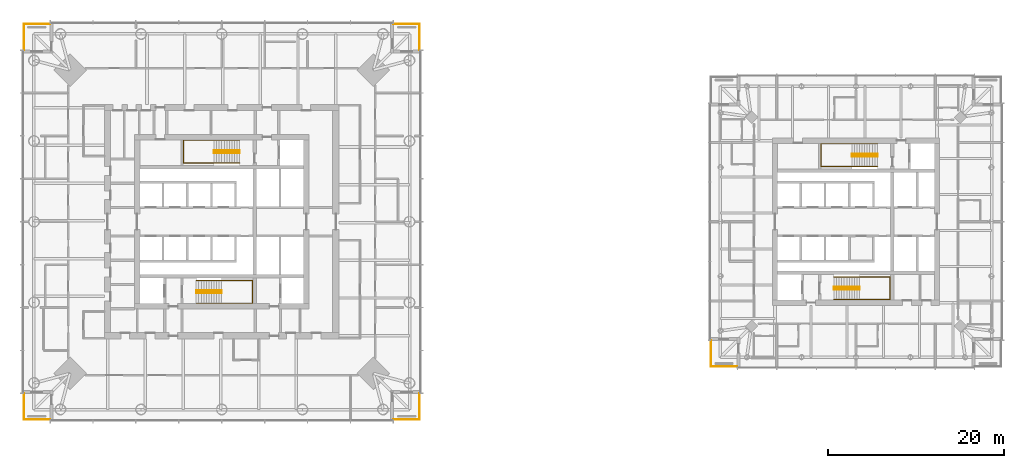
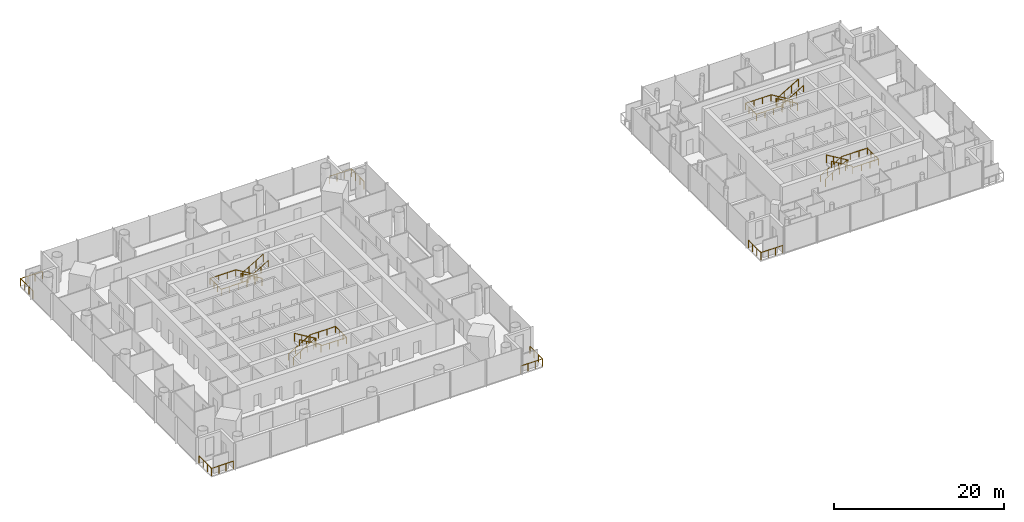
# One storey, part 17 of 18: 13 railings.
"""IFC4 building model written with IfcOpenShell, lengths in metres."""

from ifc_helpers import new_model, si_unit, direction, frame, origin, origin_2d, place, context, subcontext, project, spatial, circle, extrude, material, type_object, element, save


model = new_model("IFC4")

# Units and contexts
model_context = context("Model", 3, precision=1e-05, world=origin(), true_north=direction((0.0, 1.0)))
body_context = subcontext(model_context, "Body", "Model", "MODEL_VIEW")
ifc_project = project(units=[si_unit("LENGTHUNIT", "METRE"), si_unit("AREAUNIT", "SQUARE_METRE"), si_unit("VOLUMEUNIT", "CUBIC_METRE"), si_unit("PLANEANGLEUNIT", "RADIAN"), si_unit("MASSUNIT", "GRAM", prefix="KILO")], contexts=[model_context])

# Site, building, storey
site_placement = place(None, origin())
site = spatial("IfcSite", under=ifc_project, at=site_placement, CompositionType="ELEMENT")
building_placement = place(site_placement, origin())
building = spatial("IfcBuilding", under=site, at=building_placement, Name="Ostroluk Exchange", CompositionType="ELEMENT")
storey_placement = place(building_placement, frame((0.0, 0.0, 104.60009765625)))
storey = spatial("IfcBuildingStorey", under=building, at=storey_placement, Name="L26", CompositionType="ELEMENT", Elevation=104.60009765625)

# Railings
ifc_material_1 = material(Name="Stainless steel", Category="steel")
railing_type_1 = type_object("IfcRailingType", Name="Guard 1100 stainless steel", PredefinedType="GUARDRAIL", material=ifc_material_1)
railing_1_placement = place(storey_placement, frame((64.5, 23.550048828125, 0.0)))
element("IfcRailing", 1, at=railing_1_placement, inside=storey, type_object=railing_type_1, Name="Office tower SE balcony guard L26", PredefinedType="GUARDRAIL", context=body_context, shape_type="SweptSolid", body=[
    extrude(circle(Radius=0.02392578125, at=origin_2d()), frame((0.0, 0.0, 1.076171875), z_axis=(1.0, 0.0, 0.0), x_axis=(0.0, 1.0, 0.0)), (0.0, 0.0, 1.0), 2.949951171875),
    extrude(circle(Radius=0.02392578125, at=origin_2d()), frame((2.949951171875, 0.0, 1.076171875), z_axis=(0.0, 1.0, 0.0), x_axis=(-1.0, 0.0, 0.0)), (0.0, 0.0, 1.0), 2.949951171875),
    extrude(circle(Radius=0.02099609375, at=origin_2d()), origin(), (0.0, 0.0, 1.0), 1.052001953125),
    extrude(circle(Radius=0.02099609375, at=origin_2d()), frame((0.9833984375, 0.0, 0.0)), (0.0, 0.0, 1.0), 1.052001953125),
    extrude(circle(Radius=0.02099609375, at=origin_2d()), frame((1.966552734375, 0.0, 0.0)), (0.0, 0.0, 1.0), 1.052001953125),
    extrude(circle(Radius=0.02099609375, at=origin_2d()), frame((2.949951171875, 0.0, 0.0)), (0.0, 0.0, 1.0), 1.052001953125),
    extrude(circle(Radius=0.02099609375, at=origin_2d()), frame((2.949951171875, 0.9833984375, 0.0)), (0.0, 0.0, 1.0), 1.052001953125),
    extrude(circle(Radius=0.02099609375, at=origin_2d()), frame((2.949951171875, 1.966552734375, 0.0)), (0.0, 0.0, 1.0), 1.052001953125),
    extrude(circle(Radius=0.02099609375, at=origin_2d()), frame((2.949951171875, 2.949951171875, 0.0)), (0.0, 0.0, 1.0), 1.052001953125),
])
railing_2_placement = place(storey_placement, frame((64.5, 68.449951171875, 0.0)))
element("IfcRailing", 2, at=railing_2_placement, inside=storey, type_object=railing_type_1, Name="Office tower NE balcony guard L26", PredefinedType="GUARDRAIL", context=body_context, shape_type="SweptSolid", body=[
    extrude(circle(Radius=0.02392578125, at=origin_2d()), frame((0.0, 0.0, 1.076171875), z_axis=(1.0, 0.0, 0.0), x_axis=(0.0, 1.0, 0.0)), (0.0, 0.0, 1.0), 2.949951171875),
    extrude(circle(Radius=0.02392578125, at=origin_2d()), frame((2.949951171875, 0.0, 1.076171875), z_axis=(0.0, -1.0, 0.0), x_axis=(1.0, 0.0, 0.0)), (0.0, 0.0, 1.0), 2.949951171875),
    extrude(circle(Radius=0.02099609375, at=origin_2d()), origin(), (0.0, 0.0, 1.0), 1.052001953125),
    extrude(circle(Radius=0.02099609375, at=origin_2d()), frame((0.9833984375, 0.0, 0.0)), (0.0, 0.0, 1.0), 1.052001953125),
    extrude(circle(Radius=0.02099609375, at=origin_2d()), frame((1.966552734375, 0.0, 0.0)), (0.0, 0.0, 1.0), 1.052001953125),
    extrude(circle(Radius=0.02099609375, at=origin_2d()), frame((2.949951171875, 0.0, 0.0)), (0.0, 0.0, 1.0), 1.052001953125),
    extrude(circle(Radius=0.02099609375, at=origin_2d()), frame((2.949951171875, -0.9833984375, 0.0)), (0.0, 0.0, 1.0), 1.052001953125),
    extrude(circle(Radius=0.02099609375, at=origin_2d()), frame((2.949951171875, -1.966552734375, 0.0)), (0.0, 0.0, 1.0), 1.052001953125),
    extrude(circle(Radius=0.02099609375, at=origin_2d()), frame((2.949951171875, -2.949951171875, 0.0)), (0.0, 0.0, 1.0), 1.052001953125),
])
railing_3_placement = place(storey_placement, frame((25.5, 68.449951171875, 0.0)))
element("IfcRailing", 3, at=railing_3_placement, inside=storey, type_object=railing_type_1, Name="Office tower NW balcony guard L26", PredefinedType="GUARDRAIL", context=body_context, shape_type="SweptSolid", body=[
    extrude(circle(Radius=0.02392578125, at=origin_2d()), frame((0.0, 0.0, 1.076171875), z_axis=(-1.0, 0.0, 0.0), x_axis=(0.0, -1.0, 0.0)), (0.0, 0.0, 1.0), 2.949951171875),
    extrude(circle(Radius=0.02392578125, at=origin_2d()), frame((-2.949951171875, 0.0, 1.076171875), z_axis=(0.0, -1.0, 0.0), x_axis=(1.0, 0.0, 0.0)), (0.0, 0.0, 1.0), 2.949951171875),
    extrude(circle(Radius=0.02099609375, at=origin_2d()), origin(), (0.0, 0.0, 1.0), 1.052001953125),
    extrude(circle(Radius=0.02099609375, at=origin_2d()), frame((-0.9833984375, 0.0, 0.0)), (0.0, 0.0, 1.0), 1.052001953125),
    extrude(circle(Radius=0.02099609375, at=origin_2d()), frame((-1.966552734375, 0.0, 0.0)), (0.0, 0.0, 1.0), 1.052001953125),
    extrude(circle(Radius=0.02099609375, at=origin_2d()), frame((-2.949951171875, 0.0, 0.0)), (0.0, 0.0, 1.0), 1.052001953125),
    extrude(circle(Radius=0.02099609375, at=origin_2d()), frame((-2.949951171875, -0.9833984375, 0.0)), (0.0, 0.0, 1.0), 1.052001953125),
    extrude(circle(Radius=0.02099609375, at=origin_2d()), frame((-2.949951171875, -1.966552734375, 0.0)), (0.0, 0.0, 1.0), 1.052001953125),
    extrude(circle(Radius=0.02099609375, at=origin_2d()), frame((-2.949951171875, -2.949951171875, 0.0)), (0.0, 0.0, 1.0), 1.052001953125),
])
for number, where, name in (
    (4, (25.5, 23.550048828125, 0.0), "Office tower SW balcony guard L26"),
    (5, (103.5, 29.550048828125, 0.0), "Hotel tower SW balcony guard L26"),
):
    element("IfcRailing", number, at=place(storey_placement, frame(where)), inside=storey, type_object=railing_type_1, Name=name, PredefinedType="GUARDRAIL", context=body_context, shape_type="SweptSolid", body=[
        extrude(circle(Radius=0.02392578125, at=origin_2d()), frame((0.0, 0.0, 1.076171875), z_axis=(-1.0, 0.0, 0.0), x_axis=(0.0, -1.0, 0.0)), (0.0, 0.0, 1.0), 2.949951171875),
        extrude(circle(Radius=0.02392578125, at=origin_2d()), frame((-2.949951171875, 0.0, 1.076171875), z_axis=(0.0, 1.0, 0.0), x_axis=(-1.0, 0.0, 0.0)), (0.0, 0.0, 1.0), 2.949951171875),
        extrude(circle(Radius=0.02099609375, at=origin_2d()), origin(), (0.0, 0.0, 1.0), 1.052001953125),
        extrude(circle(Radius=0.02099609375, at=origin_2d()), frame((-0.9833984375, 0.0, 0.0)), (0.0, 0.0, 1.0), 1.052001953125),
        extrude(circle(Radius=0.02099609375, at=origin_2d()), frame((-1.966552734375, 0.0, 0.0)), (0.0, 0.0, 1.0), 1.052001953125),
        extrude(circle(Radius=0.02099609375, at=origin_2d()), frame((-2.949951171875, 0.0, 0.0)), (0.0, 0.0, 1.0), 1.052001953125),
        extrude(circle(Radius=0.02099609375, at=origin_2d()), frame((-2.949951171875, 0.9833984375, 0.0)), (0.0, 0.0, 1.0), 1.052001953125),
        extrude(circle(Radius=0.02099609375, at=origin_2d()), frame((-2.949951171875, 1.966552734375, 0.0)), (0.0, 0.0, 1.0), 1.052001953125),
        extrude(circle(Radius=0.02099609375, at=origin_2d()), frame((-2.949951171875, 2.949951171875, 0.0)), (0.0, 0.0, 1.0), 1.052001953125),
    ])
ifc_material_2 = material(Name="Steel S355", Category="steel")
railing_type_2 = type_object("IfcRailingType", Name="Stair guard 1100", PredefinedType="GUARDRAIL", material=ifc_material_2)
railing_4_placement = place(storey_placement, frame((42.10009765625, 38.179931640625, 0.172607421875)))
element("IfcRailing", 6, at=railing_4_placement, inside=storey, type_object=railing_type_2, Name="Stair T1-S1 guard L26", PredefinedType="GUARDRAIL", context=body_context, shape_type="SweptSolid", body=[
    extrude(circle(Radius=0.02392578125, at=origin_2d()), frame((0.0, 0.0, 1.076171875), z_axis=(0.859141464434, 0.0, 0.511738159696), x_axis=(0.0, 1.0, 0.0)), (0.0, 0.0, 1.0), 3.375244140625),
    extrude(circle(Radius=0.02392578125, at=origin_2d()), frame((2.89990234375, 0.0, 2.80322265625), z_axis=(0.0, -1.0, 0.0), x_axis=(1.0, 0.0, 0.0)), (0.0, 0.0, 1.0), 0.260009765625),
    extrude(circle(Radius=0.02392578125, at=origin_2d()), frame((2.89990234375, -0.260009765625, 2.80322265625), z_axis=(0.0, 0.0, 1.0), x_axis=(1.0, 0.0, 0.0)), (0.0, 0.0, 1.0), 0.172607421875),
    extrude(circle(Radius=0.02392578125, at=origin_2d()), frame((2.89990234375, -0.260009765625, 2.97607421875), z_axis=(-0.859141464434, 0.0, 0.511738159696), x_axis=(0.0, -1.0, 0.0)), (0.0, 0.0, 1.0), 3.375244140625),
    extrude(circle(Radius=0.02099609375, at=origin_2d()), origin(), (0.0, 0.0, 1.0), 1.052001953125),
    extrude(circle(Radius=0.02099609375, at=origin_2d()), frame((0.966552734375, 0.0, 0.57568359375)), (0.0, 0.0, 1.0), 1.052001953125),
    extrude(circle(Radius=0.02099609375, at=origin_2d()), frame((1.933349609375, 0.0, 1.151611328125)), (0.0, 0.0, 1.0), 1.052001953125),
    extrude(circle(Radius=0.02099609375, at=origin_2d()), frame((2.89990234375, 0.0, 1.727294921875)), (0.0, 0.0, 1.0), 1.052001953125),
    extrude(circle(Radius=0.02099609375, at=origin_2d()), frame((2.89990234375, -0.260009765625, 1.727294921875)), (0.0, 0.0, 1.0), 1.052001953125),
    extrude(circle(Radius=0.02099609375, at=origin_2d()), frame((2.89990234375, -0.260009765625, 1.89990234375)), (0.0, 0.0, 1.0), 1.052001953125),
    extrude(circle(Radius=0.02099609375, at=origin_2d()), frame((1.933349609375, -0.260009765625, 2.4755859375)), (0.0, 0.0, 1.0), 1.052001953125),
    extrude(circle(Radius=0.02099609375, at=origin_2d()), frame((0.966552734375, -0.260009765625, 3.051513671875)), (0.0, 0.0, 1.0), 1.052001953125),
    extrude(circle(Radius=0.02099609375, at=origin_2d()), frame((0.0, -0.260009765625, 3.627197265625)), (0.0, 0.0, 1.0), 1.052001953125),
])
railing_5_placement = place(storey_placement, frame((47.030029296875, 54.080078125, 0.172607421875)))
element("IfcRailing", 7, at=railing_5_placement, inside=storey, type_object=railing_type_2, Name="Stair T1-S2 guard L26", PredefinedType="GUARDRAIL", context=body_context, shape_type="SweptSolid", body=[
    extrude(circle(Radius=0.02392578125, at=origin_2d()), frame((0.0, 0.0, 1.076171875), z_axis=(-0.859160404282, 0.0, 0.51170636083), x_axis=(0.0, -1.0, 0.0)), (0.0, 0.0, 1.0), 3.37548828125),
    extrude(circle(Radius=0.02392578125, at=origin_2d()), frame((-2.900146484375, 0.0, 2.80322265625), z_axis=(0.0, -1.0, 0.0), x_axis=(1.0, 0.0, 0.0)), (0.0, 0.0, 1.0), 0.260009765625),
    extrude(circle(Radius=0.02392578125, at=origin_2d()), frame((-2.900146484375, -0.260009765625, 2.80322265625), z_axis=(0.0, 0.0, 1.0), x_axis=(1.0, 0.0, 0.0)), (0.0, 0.0, 1.0), 0.172607421875),
    extrude(circle(Radius=0.02392578125, at=origin_2d()), frame((-2.900146484375, -0.260009765625, 2.97607421875), z_axis=(0.859160404282, 0.0, 0.51170636083), x_axis=(0.0, 1.0, 0.0)), (0.0, 0.0, 1.0), 3.37548828125),
    extrude(circle(Radius=0.02099609375, at=origin_2d()), origin(), (0.0, 0.0, 1.0), 1.052001953125),
    extrude(circle(Radius=0.02099609375, at=origin_2d()), frame((-0.966796875, 0.0, 0.57568359375)), (0.0, 0.0, 1.0), 1.052001953125),
    extrude(circle(Radius=0.02099609375, at=origin_2d()), frame((-1.933349609375, 0.0, 1.151611328125)), (0.0, 0.0, 1.0), 1.052001953125),
    extrude(circle(Radius=0.02099609375, at=origin_2d()), frame((-2.900146484375, 0.0, 1.727294921875)), (0.0, 0.0, 1.0), 1.052001953125),
    extrude(circle(Radius=0.02099609375, at=origin_2d()), frame((-2.900146484375, -0.260009765625, 1.727294921875)), (0.0, 0.0, 1.0), 1.052001953125),
    extrude(circle(Radius=0.02099609375, at=origin_2d()), frame((-2.900146484375, -0.260009765625, 1.89990234375)), (0.0, 0.0, 1.0), 1.052001953125),
    extrude(circle(Radius=0.02099609375, at=origin_2d()), frame((-1.933349609375, -0.260009765625, 2.4755859375)), (0.0, 0.0, 1.0), 1.052001953125),
    extrude(circle(Radius=0.02099609375, at=origin_2d()), frame((-0.966796875, -0.260009765625, 3.051513671875)), (0.0, 0.0, 1.0), 1.052001953125),
    extrude(circle(Radius=0.02099609375, at=origin_2d()), frame((0.0, -0.260009765625, 3.627197265625)), (0.0, 0.0, 1.0), 1.052001953125),
])
railing_6_placement = place(storey_placement, frame((114.5, 38.580078125, 0.172607421875)))
element("IfcRailing", 8, at=railing_6_placement, inside=storey, type_object=railing_type_2, Name="Stair T2-S1 guard L26", PredefinedType="GUARDRAIL", context=body_context, shape_type="SweptSolid", body=[
    extrude(circle(Radius=0.02392578125, at=origin_2d()), frame((0.0, 0.0, 1.076171875), z_axis=(0.859141464434, 0.0, 0.511738159696), x_axis=(0.0, 1.0, 0.0)), (0.0, 0.0, 1.0), 3.375244140625),
    extrude(circle(Radius=0.02392578125, at=origin_2d()), frame((2.89990234375, 0.0, 2.80322265625), z_axis=(0.0, -1.0, 0.0), x_axis=(1.0, 0.0, 0.0)), (0.0, 0.0, 1.0), 0.260009765625),
    extrude(circle(Radius=0.02392578125, at=origin_2d()), frame((2.89990234375, -0.260009765625, 2.80322265625), z_axis=(0.0, 0.0, 1.0), x_axis=(1.0, 0.0, 0.0)), (0.0, 0.0, 1.0), 0.172607421875),
    extrude(circle(Radius=0.02392578125, at=origin_2d()), frame((2.89990234375, -0.260009765625, 2.97607421875), z_axis=(-0.859141464434, 0.0, 0.511738159696), x_axis=(0.0, -1.0, 0.0)), (0.0, 0.0, 1.0), 3.375244140625),
    extrude(circle(Radius=0.02099609375, at=origin_2d()), origin(), (0.0, 0.0, 1.0), 1.052001953125),
    extrude(circle(Radius=0.02099609375, at=origin_2d()), frame((0.966552734375, 0.0, 0.57568359375)), (0.0, 0.0, 1.0), 1.052001953125),
    extrude(circle(Radius=0.02099609375, at=origin_2d()), frame((1.933349609375, 0.0, 1.151611328125)), (0.0, 0.0, 1.0), 1.052001953125),
    extrude(circle(Radius=0.02099609375, at=origin_2d()), frame((2.89990234375, 0.0, 1.727294921875)), (0.0, 0.0, 1.0), 1.052001953125),
    extrude(circle(Radius=0.02099609375, at=origin_2d()), frame((2.89990234375, -0.260009765625, 1.727294921875)), (0.0, 0.0, 1.0), 1.052001953125),
    extrude(circle(Radius=0.02099609375, at=origin_2d()), frame((2.89990234375, -0.260009765625, 1.89990234375)), (0.0, 0.0, 1.0), 1.052001953125),
    extrude(circle(Radius=0.02099609375, at=origin_2d()), frame((1.933349609375, -0.260009765625, 2.4755859375)), (0.0, 0.0, 1.0), 1.052001953125),
    extrude(circle(Radius=0.02099609375, at=origin_2d()), frame((0.966552734375, -0.260009765625, 3.051513671875)), (0.0, 0.0, 1.0), 1.052001953125),
    extrude(circle(Radius=0.02099609375, at=origin_2d()), frame((0.0, -0.260009765625, 3.627197265625)), (0.0, 0.0, 1.0), 1.052001953125),
])
railing_7_placement = place(storey_placement, frame((119.429931640625, 53.679931640625, 0.172607421875)))
element("IfcRailing", 9, at=railing_7_placement, inside=storey, type_object=railing_type_2, Name="Stair T2-S2 guard L26", PredefinedType="GUARDRAIL", context=body_context, shape_type="SweptSolid", body=[
    extrude(circle(Radius=0.02392578125, at=origin_2d()), frame((0.0, 0.0, 1.076171875), z_axis=(-0.859141464434, 0.0, 0.511738159696), x_axis=(0.0, -1.0, 0.0)), (0.0, 0.0, 1.0), 3.375244140625),
    extrude(circle(Radius=0.02392578125, at=origin_2d()), frame((-2.89990234375, 0.0, 2.80322265625), z_axis=(0.0, -1.0, 0.0), x_axis=(1.0, 0.0, 0.0)), (0.0, 0.0, 1.0), 0.260009765625),
    extrude(circle(Radius=0.02392578125, at=origin_2d()), frame((-2.89990234375, -0.260009765625, 2.80322265625), z_axis=(0.0, 0.0, 1.0), x_axis=(1.0, 0.0, 0.0)), (0.0, 0.0, 1.0), 0.172607421875),
    extrude(circle(Radius=0.02392578125, at=origin_2d()), frame((-2.89990234375, -0.260009765625, 2.97607421875), z_axis=(0.859141464434, 0.0, 0.511738159696), x_axis=(0.0, 1.0, 0.0)), (0.0, 0.0, 1.0), 3.375244140625),
    extrude(circle(Radius=0.02099609375, at=origin_2d()), origin(), (0.0, 0.0, 1.0), 1.052001953125),
    extrude(circle(Radius=0.02099609375, at=origin_2d()), frame((-0.966552734375, 0.0, 0.57568359375)), (0.0, 0.0, 1.0), 1.052001953125),
    extrude(circle(Radius=0.02099609375, at=origin_2d()), frame((-1.933349609375, 0.0, 1.151611328125)), (0.0, 0.0, 1.0), 1.052001953125),
    extrude(circle(Radius=0.02099609375, at=origin_2d()), frame((-2.89990234375, 0.0, 1.727294921875)), (0.0, 0.0, 1.0), 1.052001953125),
    extrude(circle(Radius=0.02099609375, at=origin_2d()), frame((-2.89990234375, -0.260009765625, 1.727294921875)), (0.0, 0.0, 1.0), 1.052001953125),
    extrude(circle(Radius=0.02099609375, at=origin_2d()), frame((-2.89990234375, -0.260009765625, 1.89990234375)), (0.0, 0.0, 1.0), 1.052001953125),
    extrude(circle(Radius=0.02099609375, at=origin_2d()), frame((-1.933349609375, -0.260009765625, 2.4755859375)), (0.0, 0.0, 1.0), 1.052001953125),
    extrude(circle(Radius=0.02099609375, at=origin_2d()), frame((-0.966552734375, -0.260009765625, 3.051513671875)), (0.0, 0.0, 1.0), 1.052001953125),
    extrude(circle(Radius=0.02099609375, at=origin_2d()), frame((0.0, -0.260009765625, 3.627197265625)), (0.0, 0.0, 1.0), 1.052001953125),
])
ifc_material_3 = material(Name="Stainless steel", Category="steel")
railing_type_3 = type_object("IfcRailingType", Name="Stair handrail 900", PredefinedType="HANDRAIL", material=ifc_material_3)
railing_8_placement = place(storey_placement, frame((42.10009765625, 39.35009765625, 0.172607421875)))
element("IfcRailing", 10, at=railing_8_placement, inside=storey, type_object=railing_type_3, Name="Stair T1-S1 handrail L26", PredefinedType="HANDRAIL", context=body_context, shape_type="SweptSolid", body=[
    extrude(circle(Radius=0.02392578125, at=origin_2d()), frame((0.0, 0.0, 0.8759765625), z_axis=(0.859141464434, 0.0, 0.511738159696), x_axis=(0.0, 1.0, 0.0)), (0.0, 0.0, 1.0), 3.375244140625),
    extrude(circle(Radius=0.02392578125, at=origin_2d()), frame((2.89990234375, 0.0, 2.60302734375), z_axis=(1.0, 0.0, 0.0), x_axis=(0.0, 1.0, 0.0)), (0.0, 0.0, 1.0), 3.47998046875),
    extrude(circle(Radius=0.02392578125, at=origin_2d()), frame((6.3798828125, 0.0, 2.60302734375), z_axis=(0.0, -1.0, 0.0), x_axis=(1.0, 0.0, 0.0)), (0.0, 0.0, 1.0), 2.60009765625),
    extrude(circle(Radius=0.02392578125, at=origin_2d()), frame((6.3798828125, -2.60009765625, 2.60302734375), z_axis=(-1.0, 0.0, 0.0), x_axis=(0.0, -1.0, 0.0)), (0.0, 0.0, 1.0), 3.47998046875),
    extrude(circle(Radius=0.02392578125, at=origin_2d()), frame((2.89990234375, -2.60009765625, 2.60302734375), z_axis=(0.0, 0.0, 1.0), x_axis=(1.0, 0.0, 0.0)), (0.0, 0.0, 1.0), 0.172607421875),
    extrude(circle(Radius=0.02392578125, at=origin_2d()), frame((2.89990234375, -2.60009765625, 2.77587890625), z_axis=(-0.859141464434, 0.0, 0.511738159696), x_axis=(0.0, -1.0, 0.0)), (0.0, 0.0, 1.0), 3.375244140625),
    extrude(circle(Radius=0.02099609375, at=origin_2d()), origin(), (0.0, 0.0, 1.0), 0.851806640625),
    extrude(circle(Radius=0.02099609375, at=origin_2d()), frame((0.966552734375, 0.0, 0.57568359375)), (0.0, 0.0, 1.0), 0.851806640625),
    extrude(circle(Radius=0.02099609375, at=origin_2d()), frame((1.933349609375, 0.0, 1.151611328125)), (0.0, 0.0, 1.0), 0.851806640625),
    extrude(circle(Radius=0.02099609375, at=origin_2d()), frame((2.89990234375, 0.0, 1.727294921875)), (0.0, 0.0, 1.0), 0.851806640625),
    extrude(circle(Radius=0.02099609375, at=origin_2d()), frame((4.059814453125, 0.0, 1.727294921875)), (0.0, 0.0, 1.0), 0.851806640625),
    extrude(circle(Radius=0.02099609375, at=origin_2d()), frame((5.219970703125, 0.0, 1.727294921875)), (0.0, 0.0, 1.0), 0.851806640625),
    extrude(circle(Radius=0.02099609375, at=origin_2d()), frame((6.3798828125, 0.0, 1.727294921875)), (0.0, 0.0, 1.0), 0.851806640625),
    extrude(circle(Radius=0.02099609375, at=origin_2d()), frame((6.3798828125, -0.86669921875, 1.727294921875)), (0.0, 0.0, 1.0), 0.851806640625),
    extrude(circle(Radius=0.02099609375, at=origin_2d()), frame((6.3798828125, -1.7333984375, 1.727294921875)), (0.0, 0.0, 1.0), 0.851806640625),
    extrude(circle(Radius=0.02099609375, at=origin_2d()), frame((6.3798828125, -2.60009765625, 1.727294921875)), (0.0, 0.0, 1.0), 0.851806640625),
    extrude(circle(Radius=0.02099609375, at=origin_2d()), frame((5.219970703125, -2.60009765625, 1.727294921875)), (0.0, 0.0, 1.0), 0.851806640625),
    extrude(circle(Radius=0.02099609375, at=origin_2d()), frame((4.059814453125, -2.60009765625, 1.727294921875)), (0.0, 0.0, 1.0), 0.851806640625),
    extrude(circle(Radius=0.02099609375, at=origin_2d()), frame((2.89990234375, -2.60009765625, 1.727294921875)), (0.0, 0.0, 1.0), 0.851806640625),
    extrude(circle(Radius=0.02099609375, at=origin_2d()), frame((2.89990234375, -2.60009765625, 1.89990234375)), (0.0, 0.0, 1.0), 0.851806640625),
    extrude(circle(Radius=0.02099609375, at=origin_2d()), frame((1.933349609375, -2.60009765625, 2.4755859375)), (0.0, 0.0, 1.0), 0.851806640625),
    extrude(circle(Radius=0.02099609375, at=origin_2d()), frame((0.966552734375, -2.60009765625, 3.051513671875)), (0.0, 0.0, 1.0), 0.851806640625),
    extrude(circle(Radius=0.02099609375, at=origin_2d()), frame((0.0, -2.60009765625, 3.627197265625)), (0.0, 0.0, 1.0), 0.851806640625),
])
railing_9_placement = place(storey_placement, frame((47.030029296875, 55.25, 0.172607421875)))
element("IfcRailing", 11, at=railing_9_placement, inside=storey, type_object=railing_type_3, Name="Stair T1-S2 handrail L26", PredefinedType="HANDRAIL", context=body_context, shape_type="SweptSolid", body=[
    extrude(circle(Radius=0.02392578125, at=origin_2d()), frame((0.0, 0.0, 0.8759765625), z_axis=(-0.859160404282, 0.0, 0.51170636083), x_axis=(0.0, -1.0, 0.0)), (0.0, 0.0, 1.0), 3.37548828125),
    extrude(circle(Radius=0.02392578125, at=origin_2d()), frame((-2.900146484375, 0.0, 2.60302734375), z_axis=(-1.0, 0.0, 0.0), x_axis=(0.0, -1.0, 0.0)), (0.0, 0.0, 1.0), 3.47998046875),
    extrude(circle(Radius=0.02392578125, at=origin_2d()), frame((-6.380126953125, 0.0, 2.60302734375), z_axis=(0.0, -1.0, 0.0), x_axis=(1.0, 0.0, 0.0)), (0.0, 0.0, 1.0), 2.60009765625),
    extrude(circle(Radius=0.02392578125, at=origin_2d()), frame((-6.380126953125, -2.60009765625, 2.60302734375), z_axis=(1.0, 0.0, 0.0), x_axis=(0.0, 1.0, 0.0)), (0.0, 0.0, 1.0), 3.47998046875),
    extrude(circle(Radius=0.02392578125, at=origin_2d()), frame((-2.900146484375, -2.60009765625, 2.60302734375), z_axis=(0.0, 0.0, 1.0), x_axis=(1.0, 0.0, 0.0)), (0.0, 0.0, 1.0), 0.172607421875),
    extrude(circle(Radius=0.02392578125, at=origin_2d()), frame((-2.900146484375, -2.60009765625, 2.77587890625), z_axis=(0.859160404282, 0.0, 0.51170636083), x_axis=(0.0, 1.0, 0.0)), (0.0, 0.0, 1.0), 3.37548828125),
    extrude(circle(Radius=0.02099609375, at=origin_2d()), origin(), (0.0, 0.0, 1.0), 0.851806640625),
    extrude(circle(Radius=0.02099609375, at=origin_2d()), frame((-0.966796875, 0.0, 0.57568359375)), (0.0, 0.0, 1.0), 0.851806640625),
    extrude(circle(Radius=0.02099609375, at=origin_2d()), frame((-1.933349609375, 0.0, 1.151611328125)), (0.0, 0.0, 1.0), 0.851806640625),
    extrude(circle(Radius=0.02099609375, at=origin_2d()), frame((-2.900146484375, 0.0, 1.727294921875)), (0.0, 0.0, 1.0), 0.851806640625),
    extrude(circle(Radius=0.02099609375, at=origin_2d()), frame((-4.06005859375, 0.0, 1.727294921875)), (0.0, 0.0, 1.0), 0.851806640625),
    extrude(circle(Radius=0.02099609375, at=origin_2d()), frame((-5.22021484375, 0.0, 1.727294921875)), (0.0, 0.0, 1.0), 0.851806640625),
    extrude(circle(Radius=0.02099609375, at=origin_2d()), frame((-6.380126953125, 0.0, 1.727294921875)), (0.0, 0.0, 1.0), 0.851806640625),
    extrude(circle(Radius=0.02099609375, at=origin_2d()), frame((-6.380126953125, -0.86669921875, 1.727294921875)), (0.0, 0.0, 1.0), 0.851806640625),
    extrude(circle(Radius=0.02099609375, at=origin_2d()), frame((-6.380126953125, -1.7333984375, 1.727294921875)), (0.0, 0.0, 1.0), 0.851806640625),
    extrude(circle(Radius=0.02099609375, at=origin_2d()), frame((-6.380126953125, -2.60009765625, 1.727294921875)), (0.0, 0.0, 1.0), 0.851806640625),
    extrude(circle(Radius=0.02099609375, at=origin_2d()), frame((-5.22021484375, -2.60009765625, 1.727294921875)), (0.0, 0.0, 1.0), 0.851806640625),
    extrude(circle(Radius=0.02099609375, at=origin_2d()), frame((-4.06005859375, -2.60009765625, 1.727294921875)), (0.0, 0.0, 1.0), 0.851806640625),
    extrude(circle(Radius=0.02099609375, at=origin_2d()), frame((-2.900146484375, -2.60009765625, 1.727294921875)), (0.0, 0.0, 1.0), 0.851806640625),
    extrude(circle(Radius=0.02099609375, at=origin_2d()), frame((-2.900146484375, -2.60009765625, 1.89990234375)), (0.0, 0.0, 1.0), 0.851806640625),
    extrude(circle(Radius=0.02099609375, at=origin_2d()), frame((-1.933349609375, -2.60009765625, 2.4755859375)), (0.0, 0.0, 1.0), 0.851806640625),
    extrude(circle(Radius=0.02099609375, at=origin_2d()), frame((-0.966796875, -2.60009765625, 3.051513671875)), (0.0, 0.0, 1.0), 0.851806640625),
    extrude(circle(Radius=0.02099609375, at=origin_2d()), frame((0.0, -2.60009765625, 3.627197265625)), (0.0, 0.0, 1.0), 0.851806640625),
])
railing_10_placement = place(storey_placement, frame((114.5, 39.75, 0.172607421875)))
element("IfcRailing", 12, at=railing_10_placement, inside=storey, type_object=railing_type_3, Name="Stair T2-S1 handrail L26", PredefinedType="HANDRAIL", context=body_context, shape_type="SweptSolid", body=[
    extrude(circle(Radius=0.02392578125, at=origin_2d()), frame((0.0, 0.0, 0.8759765625), z_axis=(0.859141464434, 0.0, 0.511738159696), x_axis=(0.0, 1.0, 0.0)), (0.0, 0.0, 1.0), 3.375244140625),
    extrude(circle(Radius=0.02392578125, at=origin_2d()), frame((2.89990234375, 0.0, 2.60302734375), z_axis=(1.0, 0.0, 0.0), x_axis=(0.0, 1.0, 0.0)), (0.0, 0.0, 1.0), 3.47998046875),
    extrude(circle(Radius=0.02392578125, at=origin_2d()), frame((6.3798828125, 0.0, 2.60302734375), z_axis=(0.0, -1.0, 0.0), x_axis=(1.0, 0.0, 0.0)), (0.0, 0.0, 1.0), 2.60009765625),
    extrude(circle(Radius=0.02392578125, at=origin_2d()), frame((6.3798828125, -2.60009765625, 2.60302734375), z_axis=(-1.0, 0.0, 0.0), x_axis=(0.0, -1.0, 0.0)), (0.0, 0.0, 1.0), 3.47998046875),
    extrude(circle(Radius=0.02392578125, at=origin_2d()), frame((2.89990234375, -2.60009765625, 2.60302734375), z_axis=(0.0, 0.0, 1.0), x_axis=(1.0, 0.0, 0.0)), (0.0, 0.0, 1.0), 0.172607421875),
    extrude(circle(Radius=0.02392578125, at=origin_2d()), frame((2.89990234375, -2.60009765625, 2.77587890625), z_axis=(-0.859141464434, 0.0, 0.511738159696), x_axis=(0.0, -1.0, 0.0)), (0.0, 0.0, 1.0), 3.375244140625),
    extrude(circle(Radius=0.02099609375, at=origin_2d()), origin(), (0.0, 0.0, 1.0), 0.851806640625),
    extrude(circle(Radius=0.02099609375, at=origin_2d()), frame((0.966552734375, 0.0, 0.57568359375)), (0.0, 0.0, 1.0), 0.851806640625),
    extrude(circle(Radius=0.02099609375, at=origin_2d()), frame((1.933349609375, 0.0, 1.151611328125)), (0.0, 0.0, 1.0), 0.851806640625),
    extrude(circle(Radius=0.02099609375, at=origin_2d()), frame((2.89990234375, 0.0, 1.727294921875)), (0.0, 0.0, 1.0), 0.851806640625),
    extrude(circle(Radius=0.02099609375, at=origin_2d()), frame((4.059814453125, 0.0, 1.727294921875)), (0.0, 0.0, 1.0), 0.851806640625),
    extrude(circle(Radius=0.02099609375, at=origin_2d()), frame((5.219970703125, 0.0, 1.727294921875)), (0.0, 0.0, 1.0), 0.851806640625),
    extrude(circle(Radius=0.02099609375, at=origin_2d()), frame((6.3798828125, 0.0, 1.727294921875)), (0.0, 0.0, 1.0), 0.851806640625),
    extrude(circle(Radius=0.02099609375, at=origin_2d()), frame((6.3798828125, -0.86669921875, 1.727294921875)), (0.0, 0.0, 1.0), 0.851806640625),
    extrude(circle(Radius=0.02099609375, at=origin_2d()), frame((6.3798828125, -1.7333984375, 1.727294921875)), (0.0, 0.0, 1.0), 0.851806640625),
    extrude(circle(Radius=0.02099609375, at=origin_2d()), frame((6.3798828125, -2.60009765625, 1.727294921875)), (0.0, 0.0, 1.0), 0.851806640625),
    extrude(circle(Radius=0.02099609375, at=origin_2d()), frame((5.219970703125, -2.60009765625, 1.727294921875)), (0.0, 0.0, 1.0), 0.851806640625),
    extrude(circle(Radius=0.02099609375, at=origin_2d()), frame((4.059814453125, -2.60009765625, 1.727294921875)), (0.0, 0.0, 1.0), 0.851806640625),
    extrude(circle(Radius=0.02099609375, at=origin_2d()), frame((2.89990234375, -2.60009765625, 1.727294921875)), (0.0, 0.0, 1.0), 0.851806640625),
    extrude(circle(Radius=0.02099609375, at=origin_2d()), frame((2.89990234375, -2.60009765625, 1.89990234375)), (0.0, 0.0, 1.0), 0.851806640625),
    extrude(circle(Radius=0.02099609375, at=origin_2d()), frame((1.933349609375, -2.60009765625, 2.4755859375)), (0.0, 0.0, 1.0), 0.851806640625),
    extrude(circle(Radius=0.02099609375, at=origin_2d()), frame((0.966552734375, -2.60009765625, 3.051513671875)), (0.0, 0.0, 1.0), 0.851806640625),
    extrude(circle(Radius=0.02099609375, at=origin_2d()), frame((0.0, -2.60009765625, 3.627197265625)), (0.0, 0.0, 1.0), 0.851806640625),
])
railing_11_placement = place(storey_placement, frame((119.429931640625, 54.85009765625, 0.172607421875)))
element("IfcRailing", 13, at=railing_11_placement, inside=storey, type_object=railing_type_3, Name="Stair T2-S2 handrail L26", PredefinedType="HANDRAIL", context=body_context, shape_type="SweptSolid", body=[
    extrude(circle(Radius=0.02392578125, at=origin_2d()), frame((0.0, 0.0, 0.8759765625), z_axis=(-0.859141464434, 0.0, 0.511738159696), x_axis=(0.0, -1.0, 0.0)), (0.0, 0.0, 1.0), 3.375244140625),
    extrude(circle(Radius=0.02392578125, at=origin_2d()), frame((-2.89990234375, 0.0, 2.60302734375), z_axis=(-1.0, 0.0, 0.0), x_axis=(0.0, -1.0, 0.0)), (0.0, 0.0, 1.0), 3.47998046875),
    extrude(circle(Radius=0.02392578125, at=origin_2d()), frame((-6.3798828125, 0.0, 2.60302734375), z_axis=(0.0, -1.0, 0.0), x_axis=(1.0, 0.0, 0.0)), (0.0, 0.0, 1.0), 2.60009765625),
    extrude(circle(Radius=0.02392578125, at=origin_2d()), frame((-6.3798828125, -2.60009765625, 2.60302734375), z_axis=(1.0, 0.0, 0.0), x_axis=(0.0, 1.0, 0.0)), (0.0, 0.0, 1.0), 3.47998046875),
    extrude(circle(Radius=0.02392578125, at=origin_2d()), frame((-2.89990234375, -2.60009765625, 2.60302734375), z_axis=(0.0, 0.0, 1.0), x_axis=(1.0, 0.0, 0.0)), (0.0, 0.0, 1.0), 0.172607421875),
    extrude(circle(Radius=0.02392578125, at=origin_2d()), frame((-2.89990234375, -2.60009765625, 2.77587890625), z_axis=(0.859141464434, 0.0, 0.511738159696), x_axis=(0.0, 1.0, 0.0)), (0.0, 0.0, 1.0), 3.375244140625),
    extrude(circle(Radius=0.02099609375, at=origin_2d()), origin(), (0.0, 0.0, 1.0), 0.851806640625),
    extrude(circle(Radius=0.02099609375, at=origin_2d()), frame((-0.966552734375, 0.0, 0.57568359375)), (0.0, 0.0, 1.0), 0.851806640625),
    extrude(circle(Radius=0.02099609375, at=origin_2d()), frame((-1.933349609375, 0.0, 1.151611328125)), (0.0, 0.0, 1.0), 0.851806640625),
    extrude(circle(Radius=0.02099609375, at=origin_2d()), frame((-2.89990234375, 0.0, 1.727294921875)), (0.0, 0.0, 1.0), 0.851806640625),
    extrude(circle(Radius=0.02099609375, at=origin_2d()), frame((-4.059814453125, 0.0, 1.727294921875)), (0.0, 0.0, 1.0), 0.851806640625),
    extrude(circle(Radius=0.02099609375, at=origin_2d()), frame((-5.219970703125, 0.0, 1.727294921875)), (0.0, 0.0, 1.0), 0.851806640625),
    extrude(circle(Radius=0.02099609375, at=origin_2d()), frame((-6.3798828125, 0.0, 1.727294921875)), (0.0, 0.0, 1.0), 0.851806640625),
    extrude(circle(Radius=0.02099609375, at=origin_2d()), frame((-6.3798828125, -0.86669921875, 1.727294921875)), (0.0, 0.0, 1.0), 0.851806640625),
    extrude(circle(Radius=0.02099609375, at=origin_2d()), frame((-6.3798828125, -1.7333984375, 1.727294921875)), (0.0, 0.0, 1.0), 0.851806640625),
    extrude(circle(Radius=0.02099609375, at=origin_2d()), frame((-6.3798828125, -2.60009765625, 1.727294921875)), (0.0, 0.0, 1.0), 0.851806640625),
    extrude(circle(Radius=0.02099609375, at=origin_2d()), frame((-5.219970703125, -2.60009765625, 1.727294921875)), (0.0, 0.0, 1.0), 0.851806640625),
    extrude(circle(Radius=0.02099609375, at=origin_2d()), frame((-4.059814453125, -2.60009765625, 1.727294921875)), (0.0, 0.0, 1.0), 0.851806640625),
    extrude(circle(Radius=0.02099609375, at=origin_2d()), frame((-2.89990234375, -2.60009765625, 1.727294921875)), (0.0, 0.0, 1.0), 0.851806640625),
    extrude(circle(Radius=0.02099609375, at=origin_2d()), frame((-2.89990234375, -2.60009765625, 1.89990234375)), (0.0, 0.0, 1.0), 0.851806640625),
    extrude(circle(Radius=0.02099609375, at=origin_2d()), frame((-1.933349609375, -2.60009765625, 2.4755859375)), (0.0, 0.0, 1.0), 0.851806640625),
    extrude(circle(Radius=0.02099609375, at=origin_2d()), frame((-0.966552734375, -2.60009765625, 3.051513671875)), (0.0, 0.0, 1.0), 0.851806640625),
    extrude(circle(Radius=0.02099609375, at=origin_2d()), frame((0.0, -2.60009765625, 3.627197265625)), (0.0, 0.0, 1.0), 0.851806640625),
])

save(model, "model.ifc")
